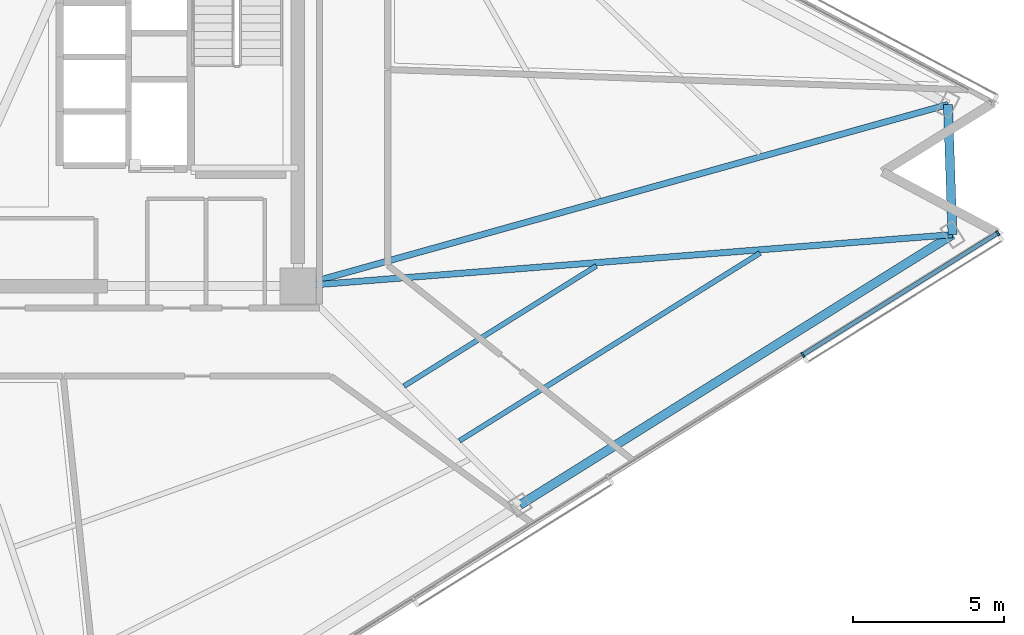
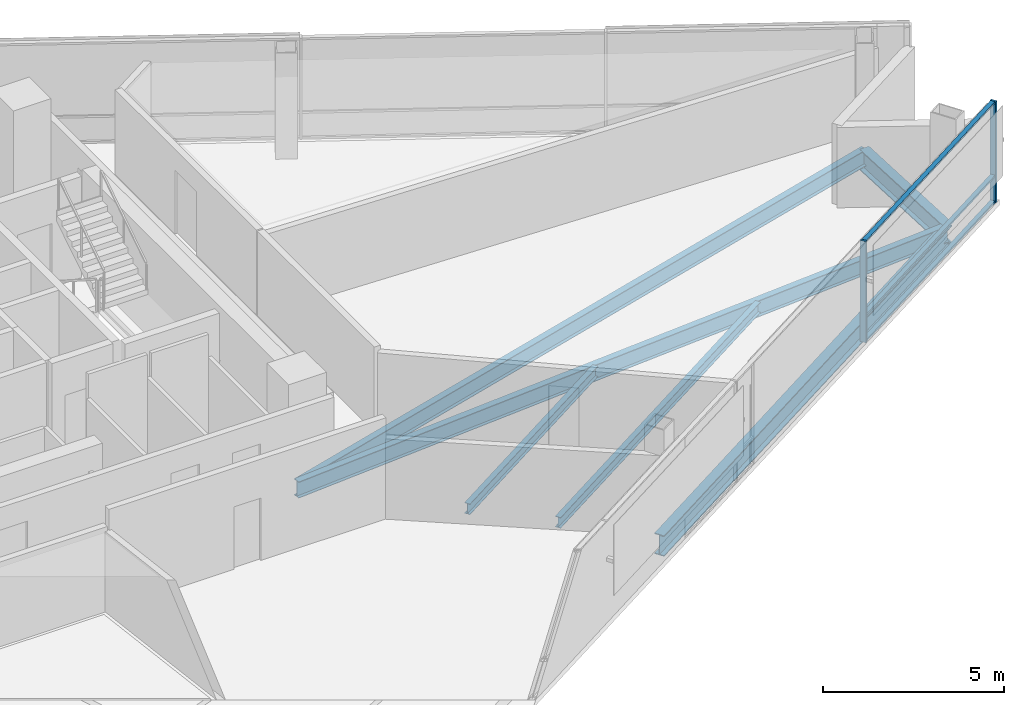
# One storey, part 6 of 20: 6 beams, 5 members, 1 element without a shape of its own.
"""IFC4 building model written with IfcOpenShell, lengths in metres."""

from ifc_helpers import new_model, si_unit, direction, frame, origin, origin_2d, place, context, subcontext, project, spatial, rectangle, i_section, extrude, material, layer, layer_set, material_profile, profile_set, type_object, element, aggregate, save


model = new_model("IFC4")

# Units and contexts
model_context = context("Model", 3, precision=1e-05, world=origin(), true_north=direction((0.0, 1.0)))
body_context = subcontext(model_context, "Body", "Model", "MODEL_VIEW")
ifc_project = project(units=[si_unit("LENGTHUNIT", "METRE"), si_unit("AREAUNIT", "SQUARE_METRE"), si_unit("VOLUMEUNIT", "CUBIC_METRE"), si_unit("PLANEANGLEUNIT", "RADIAN"), si_unit("MASSUNIT", "GRAM", prefix="KILO")], contexts=[model_context])

# Site, building, storey
site_placement = place(None, origin())
site = spatial("IfcSite", under=ifc_project, at=site_placement, CompositionType="ELEMENT")
building_placement = place(site_placement, origin())
building = spatial("IfcBuilding", under=site, at=building_placement, Name="Tharavind Bronze Gate", CompositionType="ELEMENT")
storey_placement = place(building_placement, frame((0.0, 0.0, 146.0)))
storey = spatial("IfcBuildingStorey", under=building, at=storey_placement, Name="L37", CompositionType="ELEMENT", Elevation=146.0)

# Curtain wall, members
ifc_material_1 = material(Name="Anodised Bronze Aluminium", Category="aluminium")
ifc_layer = layer(ifc_material_1, 0.219970703125)
ifc_layer_set = layer_set([ifc_layer], Name="Anodised Bronze Aluminium")
curtain_wall_type = type_object("IfcCurtainWallType", Name="UNITISED CURTAIN WALL MID OFFICE", PredefinedType="USERDEFINED", material=ifc_layer_set)
curtain_wall_placement = place(storey_placement, origin())
curtain_wall = element("IfcCurtainWall", 1, at=curtain_wall_placement, inside=storey, type_object=curtain_wall_type, Name="L37 unitised curtain wall mid office CW-L37-S2", ObjectType="UNITISED CURTAIN WALL", PredefinedType="USERDEFINED")
member_type_1 = type_object("IfcMemberType", Name="CURTAIN WALL BRONZE MULLION 65X180", PredefinedType="MULLION", material=ifc_material_1)
member_1_placement = place(storey_placement, frame((25.649169921875, -9.8798828125, 0.0), z_axis=(0.0, 0.0, 1.0), x_axis=(0.848048096156, 0.529919264233, 0.0)))
member_1 = element("IfcMember", 2, at=member_1_placement, type_object=member_type_1, Name="CW-L37-S2 mullion 7", PredefinedType="MULLION", context=body_context, shape_type="SweptSolid", body=[
    extrude(rectangle(XDim=0.06494140625, YDim=0.179931640625, at=origin_2d()), origin(), (0.0, 0.0, 1.0), 3.409912109375),
])
member_2_placement = place(storey_placement, frame((32.114501953125, -5.83984375, 0.0), z_axis=(0.0, 0.0, 1.0), x_axis=(0.848048096156, 0.529919264233, 0.0)))
member_2 = element("IfcMember", 3, at=member_2_placement, type_object=member_type_1, Name="CW-L37-S2 mullion 8", PredefinedType="MULLION", context=body_context, shape_type="SweptSolid", body=[
    extrude(rectangle(XDim=0.06494140625, YDim=0.179931640625, at=origin_2d()), origin(), (0.0, 0.0, 1.0), 3.409912109375),
])
member_type_2 = type_object("IfcMemberType", Name="CURTAIN WALL BRONZE TRANSOM 65X140", PredefinedType="USERDEFINED", material=ifc_material_1)
member_3_placement = place(storey_placement, frame((28.8818359375, -7.85986328125, 0.0), z_axis=(0.0, 0.0, 1.0), x_axis=(0.848048096156, 0.529919264233, 0.0)))
member_3 = element("IfcMember", 4, at=member_3_placement, type_object=member_type_2, Name="CW-L37-S2 transom TB7", ObjectType="TRANSOM", PredefinedType="USERDEFINED", context=body_context, shape_type="SweptSolid", body=[
    extrude(rectangle(XDim=7.57080078125, YDim=0.139892578125, at=origin_2d()), origin(), (0.0, 0.0, 1.0), 0.06494140625),
])
member_4_placement = place(storey_placement, frame((28.8818359375, -7.85986328125, 0.867431640625), z_axis=(0.0, 0.0, 1.0), x_axis=(0.848048096156, 0.529919264233, 0.0)))
member_4 = element("IfcMember", 5, at=member_4_placement, type_object=member_type_2, Name="CW-L37-S2 transom TS7", ObjectType="TRANSOM", PredefinedType="USERDEFINED", context=body_context, shape_type="SweptSolid", body=[
    extrude(rectangle(XDim=7.57080078125, YDim=0.139892578125, at=origin_2d()), origin(), (0.0, 0.0, 1.0), 0.06494140625),
])
member_5_placement = place(storey_placement, frame((28.8818359375, -7.85986328125, 3.344970703125), z_axis=(0.0, 0.0, 1.0), x_axis=(0.848048096156, 0.529919264233, 0.0)))
member_5 = element("IfcMember", 6, at=member_5_placement, type_object=member_type_2, Name="CW-L37-S2 transom TT7", ObjectType="TRANSOM", PredefinedType="USERDEFINED", context=body_context, shape_type="SweptSolid", body=[
    extrude(rectangle(XDim=7.57080078125, YDim=0.139892578125, at=origin_2d()), origin(), (0.0, 0.0, 1.0), 0.06494140625),
])
aggregate(curtain_wall, [member_1, member_2, member_3, member_4, member_5])

# Beams
ifc_material_2 = material(Name="Steel S355", Category="steel")
ifc_material_profile_1 = material_profile(ifc_material_2, i_section(OverallWidth=0.2099609375, OverallDepth=0.550048828125, WebThickness=0.010986328125, FlangeThickness=0.01708984375, at=origin_2d()), Name="IPE550")
ifc_profile_set_1 = profile_set([ifc_material_profile_1], Name="Steel S355")
beam_type_1 = type_object("IfcBeamType", Name="PRIMARY GIRDER IPE550", PredefinedType="USERDEFINED", material=ifc_profile_set_1)
beam_1_placement = place(storey_placement, frame((30.615478515625, -5.89208984375, -0.465087890625), z_axis=(-0.996921085332, -0.07841141256, 0.0), x_axis=(0.07841141256, -0.996921085332, 0.0)))
element("IfcBeam", 7, at=beam_1_placement, inside=storey, type_object=beam_type_1, Name="L37 primary girder ipe550 BM-L37-RAD08", ObjectType="GIRDER", PredefinedType="USERDEFINED", context=body_context, shape_type="SweptSolid", body=[
    extrude(i_section(OverallWidth=0.2099609375, OverallDepth=0.550048828125, WebThickness=0.010986328125, FlangeThickness=0.01708984375, at=origin_2d()), origin(), (0.0, 0.0, 1.0), 21.78271484375),
])
beam_2_placement = place(storey_placement, frame((30.46484375, -1.57470703125, -0.465087890625), z_axis=(-0.96311222074, -0.269100074809, 0.0), x_axis=(0.269100074809, -0.96311222074, 0.0)))
element("IfcBeam", 8, at=beam_2_placement, inside=storey, type_object=beam_type_1, Name="L37 primary girder ipe550 BM-L37-RAD09", ObjectType="GIRDER", PredefinedType="USERDEFINED", context=body_context, shape_type="SweptSolid", body=[
    extrude(i_section(OverallWidth=0.2099609375, OverallDepth=0.550048828125, WebThickness=0.010986328125, FlangeThickness=0.01708984375, at=origin_2d()), origin(), (0.0, 0.0, 1.0), 22.390869140625),
])
ifc_material_profile_2 = material_profile(ifc_material_2, i_section(OverallWidth=0.300048828125, OverallDepth=0.699951171875, WebThickness=0.01708984375, FlangeThickness=0.031982421875, at=origin_2d()), Name="HE700B")
ifc_profile_set_2 = profile_set([ifc_material_profile_2], Name="Steel S355")
beam_type_2 = type_object("IfcBeamType", Name="RING GIRDER HE700B", PredefinedType="USERDEFINED", material=ifc_profile_set_2)
beam_3_placement = place(storey_placement, frame((16.263916015625, -14.860107421875, -0.5400390625), z_axis=(0.84804368744, 0.529926319589, 0.0), x_axis=(-0.529926319589, 0.84804368744, 0.0)))
element("IfcBeam", 9, at=beam_3_placement, inside=storey, type_object=beam_type_2, Name="L37 ring girder he700b BM-L37-PRG07", ObjectType="GIRDER", PredefinedType="USERDEFINED", context=body_context, shape_type="SweptSolid", body=[
    extrude(i_section(OverallWidth=0.300048828125, OverallDepth=0.699951171875, WebThickness=0.01708984375, FlangeThickness=0.031982421875, at=origin_2d()), origin(), (0.0, 0.0, 1.0), 16.923095703125),
])
beam_4_placement = place(storey_placement, frame((30.615478515625, -5.89208984375, -0.5400390625), z_axis=(-0.034869079132, 0.999391888761, 0.0), x_axis=(-0.999391888761, -0.034869079132, 0.0)))
element("IfcBeam", 10, at=beam_4_placement, inside=storey, type_object=beam_type_2, Name="L37 ring girder he700b BM-L37-PRG08", ObjectType="GIRDER", PredefinedType="USERDEFINED", context=body_context, shape_type="SweptSolid", body=[
    extrude(i_section(OverallWidth=0.300048828125, OverallDepth=0.699951171875, WebThickness=0.01708984375, FlangeThickness=0.031982421875, at=origin_2d()), origin(), (0.0, 0.0, 1.0), 4.320068359375),
])
ifc_material_profile_3 = material_profile(ifc_material_2, i_section(OverallWidth=0.169921875, OverallDepth=0.360107421875, WebThickness=0.008056640625, FlangeThickness=0.0126953125, at=origin_2d()), Name="IPE360")
ifc_profile_set_3 = profile_set([ifc_material_profile_3], Name="Steel S355")
beam_type_3 = type_object("IfcBeamType", Name="SECONDARY FLOOR JOIST IPE360", PredefinedType="JOIST", material=ifc_profile_set_3)
beam_5_placement = place(storey_placement, frame((12.419189453125, -10.91650390625, -0.3701171875), z_axis=(0.848052974069, 0.529911457862, 0.0), x_axis=(-0.529911457862, 0.848052974069, 0.0)))
element("IfcBeam", 11, at=beam_5_placement, inside=storey, type_object=beam_type_3, Name="L37 secondary floor joist ipe360 BM-L37-JSTA07", PredefinedType="JOIST", context=body_context, shape_type="SweptSolid", body=[
    extrude(i_section(OverallWidth=0.169921875, OverallDepth=0.360107421875, WebThickness=0.008056640625, FlangeThickness=0.0126953125, at=origin_2d()), origin(), (0.0, 0.0, 1.0), 7.52587890625),
])
beam_6_placement = place(storey_placement, frame((14.260009765625, -12.731689453125, -0.3701171875), z_axis=(0.848048464422, 0.529918674884, 0.0), x_axis=(-0.529918674884, 0.848048464422, 0.0)))
element("IfcBeam", 12, at=beam_6_placement, inside=storey, type_object=beam_type_3, Name="L37 secondary floor joist ipe360 BM-L37-JSTB07", PredefinedType="JOIST", context=body_context, shape_type="SweptSolid", body=[
    extrude(i_section(OverallWidth=0.169921875, OverallDepth=0.360107421875, WebThickness=0.008056640625, FlangeThickness=0.0126953125, at=origin_2d()), origin(), (0.0, 0.0, 1.0), 11.7568359375),
])

save(model, "model.ifc")
